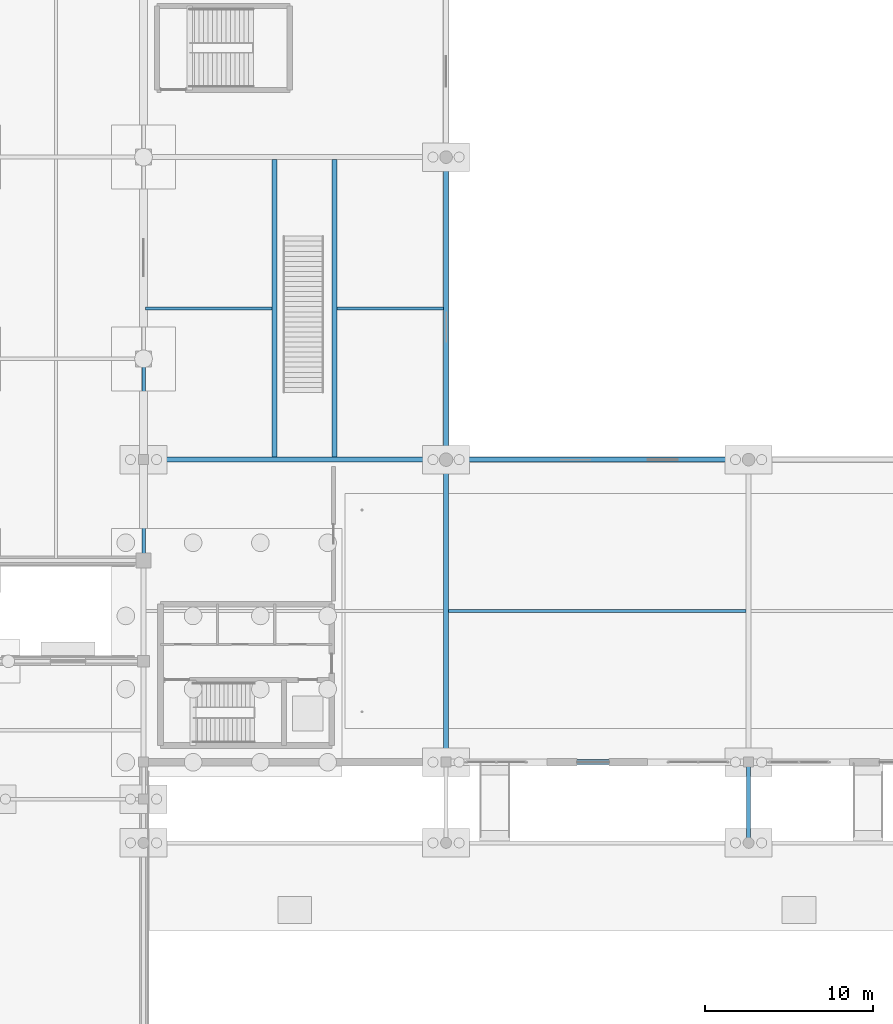
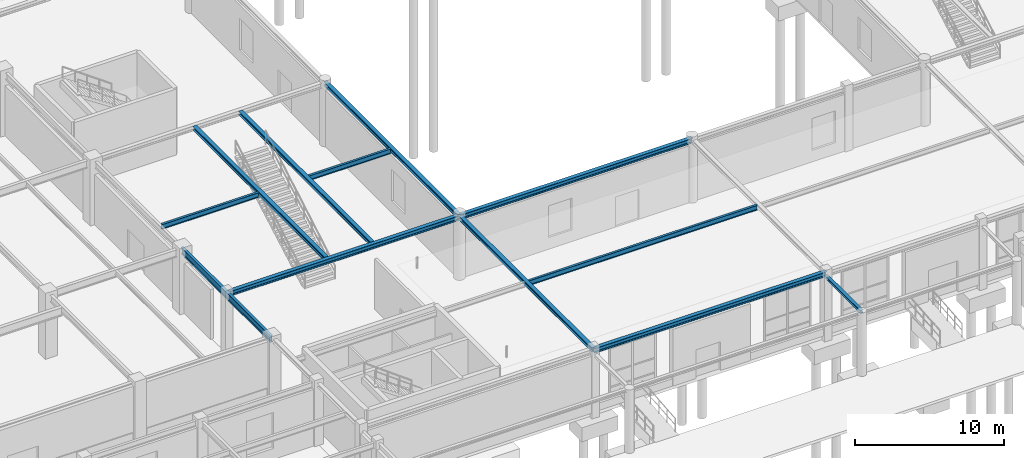
# One storey, part 14 of 53: 12 beams.
"""IFC4 building model written with IfcOpenShell, lengths in metres."""

from ifc_helpers import new_model, si_unit, derived_unit, direction, frame, origin, origin_2d, place, context, subcontext, project, spatial, i_section, extrude, material, material_profile, profile_set, type_object, element, save


model = new_model("IFC4")

# Units and contexts
model_context = context("Model", 3, precision=1e-05, world=origin(), true_north=direction((0.0, 1.0)))
body_context = subcontext(model_context, "Body", "Model", "MODEL_VIEW")
ifc_project = project(units=[si_unit("LENGTHUNIT", "METRE"), si_unit("AREAUNIT", "SQUARE_METRE"), si_unit("VOLUMEUNIT", "CUBIC_METRE"), si_unit("PLANEANGLEUNIT", "RADIAN"), si_unit("MASSUNIT", "GRAM", prefix="KILO"), derived_unit("THERMALTRANSMITTANCEUNIT", [(si_unit("POWERUNIT", "WATT"), 1), (si_unit("LENGTHUNIT", "METRE"), -2), (si_unit("THERMODYNAMICTEMPERATUREUNIT", "KELVIN"), -1)])], contexts=[model_context])

# Site, building, storey
site_placement = place(None, origin())
site = spatial("IfcSite", under=ifc_project, at=site_placement, CompositionType="ELEMENT")
building_placement = place(site_placement, origin())
building = spatial("IfcBuilding", under=site, at=building_placement, Name="Almenara Railside Exhibition Hall", CompositionType="ELEMENT")
storey_placement = place(building_placement, origin())
storey = spatial("IfcBuildingStorey", under=building, at=storey_placement, Name="L00", CompositionType="ELEMENT", Elevation=0.0)

# Beams
ifc_material = material(Name="Structural steel S355JR", Category="steel")
ifc_material_profile_1 = material_profile(ifc_material, i_section(OverallWidth=0.300048828125, OverallDepth=0.31005859375, WebThickness=0.009033203125, FlangeThickness=0.015380859375, FilletRadius=0.027099609375, at=origin_2d()), Name="HEA 320")
ifc_profile_set_1 = profile_set([ifc_material_profile_1], Name="Structural steel S355JR")
beam_type_1 = type_object("IfcBeamType", Name="Steel Concourse Edge Beam HEA 320 S355JR", PredefinedType="BEAM", material=ifc_profile_set_1)
for number, where, z_axis, x_axis, name in (
    (1, (73.800048828125, 54.14990234375, 4.98095703125), (0.0, 1.0, 0.0), (-1.0, 0.0, 0.0), "Beam 0725"),
    (2, (77.35009765625, 54.14990234375, 4.98095703125), (0.0, 1.0, 0.0), (-1.0, 0.0, 0.0), "Beam 0726"),
):
    element("IfcBeam", number, at=place(storey_placement, frame(where, z_axis=z_axis, x_axis=x_axis)), inside=storey, type_object=beam_type_1, Name=name, PredefinedType="BEAM", context=body_context, shape_type="SweptSolid", body=[
        extrude(i_section(OverallWidth=0.300048828125, OverallDepth=0.31005859375, WebThickness=0.009033203125, FlangeThickness=0.015380859375, FilletRadius=0.027099609375, at=origin_2d()), origin(), (0.0, 0.0, 1.0), 17.7001953125),
    ])
for number, where, z_axis, x_axis, name in (
    (3, (84.0, 36.0, 4.98095703125), (0.0, 1.0, 0.0), (-1.0, 0.0, 0.0), "Beam 0769"),
    (4, (84.0, 54.0, 4.985107421875), (0.0, 1.0, 0.0), (-1.0, 0.0, 0.0), "Beam 0770"),
):
    element("IfcBeam", number, at=place(storey_placement, frame(where, z_axis=z_axis, x_axis=x_axis)), inside=storey, type_object=beam_type_1, Name=name, PredefinedType="BEAM", context=body_context, shape_type="SweptSolid", body=[
        extrude(i_section(OverallWidth=0.300048828125, OverallDepth=0.31005859375, WebThickness=0.009033203125, FlangeThickness=0.015380859375, FilletRadius=0.027099609375, at=origin_2d()), origin(), (0.0, 0.0, 1.0), 18.0),
    ])
ifc_material_profile_2 = material_profile(ifc_material, i_section(OverallWidth=0.300048828125, OverallDepth=0.389892578125, WebThickness=0.010986328125, FlangeThickness=0.01904296875, FilletRadius=0.027099609375, at=origin_2d()), Name="HEA 400")
ifc_profile_set_2 = profile_set([ifc_material_profile_2], Name="Structural steel S355JR")
beam_type_2 = type_object("IfcBeamType", Name="Steel Concourse Main Beam HEA 400 S355JR", PredefinedType="BEAM", material=ifc_profile_set_2)
for number, where, z_axis, x_axis, name in (
    (5, (84.0, 36.0, 4.94091796875), (1.0, 0.0, 0.0), (0.0, 1.0, 0.0), "Beam 0739"),
    (6, (66.0, 54.0, 4.94091796875), (1.0, 0.0, 0.0), (0.0, 1.0, 0.0), "Beam 0745"),
    (7, (84.0, 54.0, 4.945068359375), (1.0, 0.0, 0.0), (0.0, 1.0, 0.0), "Beam 0748"),
):
    element("IfcBeam", number, at=place(storey_placement, frame(where, z_axis=z_axis, x_axis=x_axis)), inside=storey, type_object=beam_type_2, Name=name, PredefinedType="BEAM", context=body_context, shape_type="SweptSolid", body=[
        extrude(i_section(OverallWidth=0.300048828125, OverallDepth=0.389892578125, WebThickness=0.010986328125, FlangeThickness=0.01904296875, FilletRadius=0.027099609375, at=origin_2d()), origin(), (0.0, 0.0, 1.0), 18.0),
    ])
ifc_material_profile_3 = material_profile(ifc_material, i_section(OverallWidth=0.210693359375, OverallDepth=0.53955078125, WebThickness=0.01171875, FlangeThickness=0.018798828125, FilletRadius=0.0126953125, at=origin_2d()), Name="UB 533x210x109")
ifc_profile_set_3 = profile_set([ifc_material_profile_3], Name="Structural steel S355JR")
beam_type_3 = type_object("IfcBeamType", Name="Steel Heavy Floor Beam UB 533x210x109 S355JR", PredefinedType="BEAM", material=ifc_profile_set_3)
beam_1_placement = place(storey_placement, frame((66.0, 48.0, 4.8662109375), z_axis=(0.0, 1.0, 0.0), x_axis=(-1.0, 0.0, 0.0)))
element("IfcBeam", 8, at=beam_1_placement, inside=storey, type_object=beam_type_3, Name="Beam 0549", PredefinedType="BEAM", context=body_context, shape_type="SweptSolid", body=[
    extrude(i_section(OverallWidth=0.210693359375, OverallDepth=0.53955078125, WebThickness=0.01171875, FlangeThickness=0.018798828125, FilletRadius=0.0126953125, at=origin_2d()), origin(), (0.0, 0.0, 1.0), 12.0),
])
ifc_material_profile_4 = material_profile(ifc_material, i_section(OverallWidth=0.239990234375, OverallDepth=0.22998046875, WebThickness=0.007568359375, FlangeThickness=0.011962890625, FilletRadius=0.02099609375, at=origin_2d()), Name="HEA 240")
ifc_profile_set_4 = profile_set([ifc_material_profile_4], Name="Structural steel S355JR")
beam_type_4 = type_object("IfcBeamType", Name="Steel Portico Beam HEA 240 S355JR", PredefinedType="BEAM", material=ifc_profile_set_4)
beam_2_placement = place(storey_placement, frame((102.0, 31.199951171875, 4.680908203125), z_axis=(0.0, 1.0, 0.0), x_axis=(-1.0, 0.0, 0.0)))
element("IfcBeam", 9, at=beam_2_placement, inside=storey, type_object=beam_type_4, Name="Beam 0954", PredefinedType="BEAM", context=body_context, shape_type="SweptSolid", body=[
    extrude(i_section(OverallWidth=0.239990234375, OverallDepth=0.22998046875, WebThickness=0.007568359375, FlangeThickness=0.011962890625, FilletRadius=0.02099609375, at=origin_2d()), origin(), (0.0, 0.0, 1.0), 4.800048828125),
])
ifc_material_profile_5 = material_profile(ifc_material, i_section(OverallWidth=0.177734375, OverallDepth=0.402587890625, WebThickness=0.0078125, FlangeThickness=0.010986328125, FilletRadius=0.01025390625, at=origin_2d()), Name="UB 406x178x54")
ifc_profile_set_5 = profile_set([ifc_material_profile_5], Name="Structural steel S355JR")
beam_type_5 = type_object("IfcBeamType", Name="Steel Secondary Joist UB 406x178x54 S355JR", PredefinedType="JOIST", material=ifc_profile_set_5)
beam_3_placement = place(storey_placement, frame((84.14990234375, 45.0, 4.934814453125), z_axis=(1.0, 0.0, 0.0), x_axis=(0.0, 1.0, 0.0)))
element("IfcBeam", 10, at=beam_3_placement, inside=storey, type_object=beam_type_5, Name="Beam 0740", PredefinedType="JOIST", context=body_context, shape_type="SweptSolid", body=[
    extrude(i_section(OverallWidth=0.177734375, OverallDepth=0.402587890625, WebThickness=0.0078125, FlangeThickness=0.010986328125, FilletRadius=0.01025390625, at=origin_2d()), origin(), (0.0, 0.0, 1.0), 17.7001953125),
])
beam_4_placement = place(storey_placement, frame((77.5, 63.0, 4.934814453125), z_axis=(1.0, 0.0, 0.0), x_axis=(0.0, 1.0, 0.0)))
element("IfcBeam", 11, at=beam_4_placement, inside=storey, type_object=beam_type_5, Name="Beam 0746", PredefinedType="JOIST", context=body_context, shape_type="SweptSolid", body=[
    extrude(i_section(OverallWidth=0.177734375, OverallDepth=0.402587890625, WebThickness=0.0078125, FlangeThickness=0.010986328125, FilletRadius=0.01025390625, at=origin_2d()), origin(), (0.0, 0.0, 1.0), 6.35009765625),
])
beam_5_placement = place(storey_placement, frame((66.10546875, 63.0, 4.934814453125), z_axis=(1.0, 0.0, 0.0), x_axis=(0.0, 1.0, 0.0)))
element("IfcBeam", 12, at=beam_5_placement, inside=storey, type_object=beam_type_5, Name="Beam 0747", PredefinedType="JOIST", context=body_context, shape_type="SweptSolid", body=[
    extrude(i_section(OverallWidth=0.177734375, OverallDepth=0.402587890625, WebThickness=0.0078125, FlangeThickness=0.010986328125, FilletRadius=0.01025390625, at=origin_2d()), origin(), (0.0, 0.0, 1.0), 7.54443359375),
])

save(model, "model.ifc")
